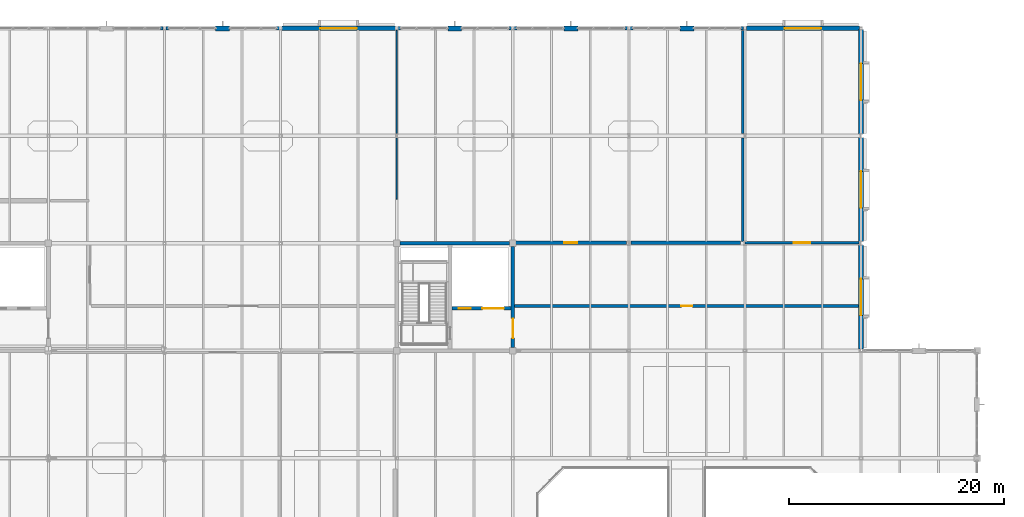
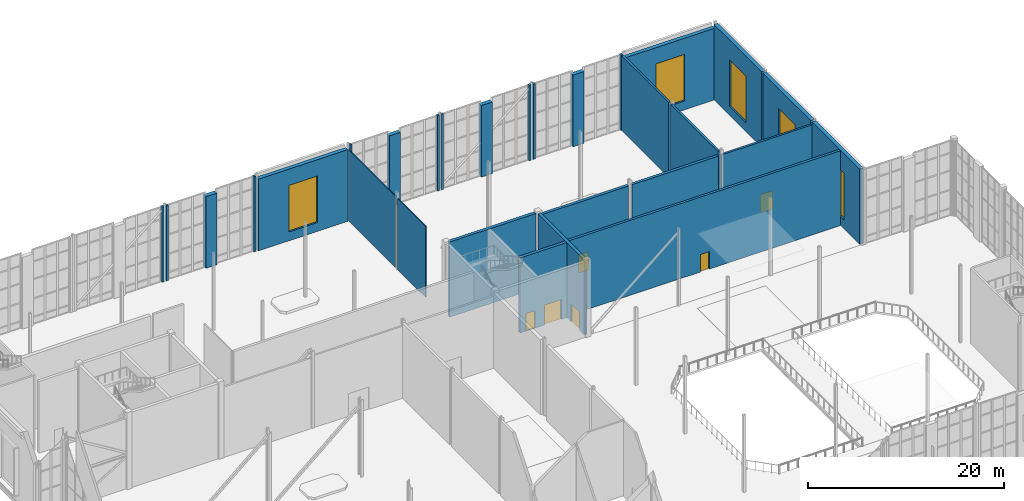
# One storey, part 88 of 100: 29 walls, 6 doors, 5 windows, 11 openings.
"""IFC4 building model written with IfcOpenShell, lengths in metres."""

from ifc_helpers import new_model, si_unit, direction, frame, frame_2d, origin, place, context, subcontext, project, spatial, rectangle, extrude, material, layer, layer_set, type_object, element, fill, save


model = new_model("IFC4")

# Units and contexts
model_context = context("Model", 3, precision=1e-05, world=origin(), true_north=direction((0.0, 1.0)))
body_context = subcontext(model_context, "Body", "Model", "MODEL_VIEW")
ifc_project = project(units=[si_unit("LENGTHUNIT", "METRE"), si_unit("AREAUNIT", "SQUARE_METRE"), si_unit("VOLUMEUNIT", "CUBIC_METRE"), si_unit("PLANEANGLEUNIT", "RADIAN"), si_unit("MASSUNIT", "GRAM", prefix="KILO")], contexts=[model_context])

# Site, building, storey
site_placement = place(None, origin())
site = spatial("IfcSite", under=ifc_project, at=site_placement, CompositionType="ELEMENT")
building_placement = place(site_placement, origin())
building = spatial("IfcBuilding", under=site, at=building_placement, Name="Tasgan Crest Museum", CompositionType="ELEMENT")
storey_placement = place(building_placement, frame((0.0, 0.0, 14.39990234375)))
storey = spatial("IfcBuildingStorey", under=building, at=storey_placement, Name="L03", CompositionType="ELEMENT", Elevation=14.39990234375)

# Wall
ifc_material_1 = material(Name="Concrete C40/50", Category="concrete")
ifc_layer_1 = layer(ifc_material_1, 0.35009765625, Name="WL-CORE-350")
ifc_layer_set_1 = layer_set([ifc_layer_1], Name="Concrete C40/50")
wall_type_1 = type_object("IfcWallType", Name="WL-CORE-350", PredefinedType="SHEAR", material=ifc_layer_set_1)
wall_1_placement = place(storey_placement, frame((54.300048828125, 92.0, 0.0), z_axis=(0.0, 0.0, 1.0), x_axis=(1.0, 0.0, 0.0)))
element("IfcWall", 1, at=wall_1_placement, inside=storey, type_object=wall_type_1, Name="North-Central Sawtooth Core north shear wall L03", PredefinedType="SHEAR", context=body_context, shape_type="SweptSolid", body=[
    extrude(rectangle(XDim=10.199951171875, YDim=0.35009765625, at=frame_2d((5.10009765625, 0.0))), origin(), (0.0, 0.0, 1.0), 9.360107421875),
])

# Wall, opening, door
wall_2_placement = place(storey_placement, frame((64.800048828125, 82.300048828125, 0.0), z_axis=(0.0, 0.0, 1.0), x_axis=(0.0, 1.0, 0.0)))
wall_2 = element("IfcWall", 2, at=wall_2_placement, inside=storey, type_object=wall_type_1, Name="North-Central Sawtooth Core east shear wall L03", PredefinedType="SHEAR", context=body_context, shape_type="SweptSolid", body=[
    extrude(rectangle(XDim=9.39990234375, YDim=0.35009765625, at=frame_2d((4.699951171875, 0.0))), origin(), (0.0, 0.0, 1.0), 9.360107421875),
])
opening_1_placement = place(wall_2_placement, frame((0.8798828125, 0.0, 0.0)))
opening_1 = element("IfcOpeningElement", 3, at=opening_1_placement, cuts=wall_2, Name="Opening LD-NC-L03", PredefinedType="OPENING", context=body_context, shape_type="SweptSolid", body=[
    extrude(rectangle(XDim=1.800048828125, YDim=2.25, at=frame_2d((0.89990234375, 1.125))), frame((0.0, 0.18505859375, 0.0), z_axis=(0.0, -1.0, 0.0), x_axis=(1.0, 0.0, 0.0)), (0.0, 0.0, 1.0), 0.3701171875),
])
ifc_material_2 = material(Name="Fire-Rated Double Lobby Door")
door_type_1 = type_object("IfcDoorType", Name="DR-FD2-1800", OperationType="NOTDEFINED", PredefinedType="DOOR", material=ifc_material_2)
door_1_placement = place(opening_1_placement, origin())
door_1 = element("IfcDoor", 4, at=door_1_placement, inside=storey, type_object=door_type_1, Name="North-Central Sawtooth Core lobby door L03", OperationType="DOUBLE_DOOR_SINGLE_SWING", OverallHeight=2.25, OverallWidth=1.800048828125, PredefinedType="DOOR", context=body_context, shape_type="SweptSolid", body=[
    extrude(rectangle(XDim=1.800048828125, YDim=2.25, at=frame_2d((0.89990234375, 1.125))), frame((0.0, 0.02490234375, 0.0), z_axis=(0.0, -1.0, 0.0), x_axis=(1.0, 0.0, 0.0)), (0.0, 0.0, 1.0), 0.050048828125),
])
fill(opening_1, door_1)

# Wall, openings, doors
wall_3_placement = place(storey_placement, frame((59.1298828125, 85.949951171875, 0.0), z_axis=(0.0, 0.0, 1.0), x_axis=(1.0, 0.0, 0.0)))
wall_3 = element("IfcWall", 5, at=wall_3_placement, inside=storey, type_object=wall_type_1, Name="North-Central Sawtooth Core lift-shaft wall L03", PredefinedType="SHEAR", context=body_context, shape_type="SweptSolid", body=[
    extrude(rectangle(XDim=5.490234375, YDim=0.35009765625, at=frame_2d((2.7451171875, 0.0))), origin(), (0.0, 0.0, 1.0), 9.360107421875),
])
opening_2_placement = place(wall_3_placement, frame((0.64990234375, 0.0, 0.0)))
opening_2 = element("IfcOpeningElement", 6, at=opening_2_placement, cuts=wall_3, Name="Opening LD-FL2", PredefinedType="OPENING", context=body_context, shape_type="SweptSolid", body=[
    extrude(rectangle(XDim=1.10009765625, YDim=2.199951171875, at=frame_2d((0.550048828125, 1.10009765625))), frame((0.0, 0.18505859375, 0.0), z_axis=(0.0, -1.0, 0.0), x_axis=(1.0, 0.0, 0.0)), (0.0, 0.0, 1.0), 0.3701171875),
])
opening_3_placement = place(wall_3_placement, frame((2.85009765625, 0.0, 0.0)))
opening_3 = element("IfcOpeningElement", 7, at=opening_3_placement, cuts=wall_3, Name="Opening LD-GL1", PredefinedType="OPENING", context=body_context, shape_type="SweptSolid", body=[
    extrude(rectangle(XDim=2.0, YDim=2.5, at=frame_2d((1.0, 1.25))), frame((0.0, 0.18505859375, 0.0), z_axis=(0.0, -1.0, 0.0), x_axis=(1.0, 0.0, 0.0)), (0.0, 0.0, 1.0), 0.3701171875),
])
ifc_material_3 = material(Name="Stainless Steel Firefighting Lift Landing Door", Category="steel")
door_type_2 = type_object("IfcDoorType", Name="LD-FF-1100", OperationType="NOTDEFINED", PredefinedType="DOOR", material=ifc_material_3)
door_2_placement = place(opening_2_placement, origin())
door_2 = element("IfcDoor", 8, at=door_2_placement, inside=storey, type_object=door_type_2, Name="Firefighting lift landing door FL2 L03", OperationType="DOUBLE_DOOR_SLIDING", OverallHeight=2.199951171875, OverallWidth=1.10009765625, PredefinedType="DOOR", context=body_context, shape_type="SweptSolid", body=[
    extrude(rectangle(XDim=1.10009765625, YDim=2.199951171875, at=frame_2d((0.550048828125, 1.10009765625))), frame((0.0, 0.02490234375, 0.0), z_axis=(0.0, -1.0, 0.0), x_axis=(1.0, 0.0, 0.0)), (0.0, 0.0, 1.0), 0.050048828125),
])
fill(opening_2, door_2)
ifc_material_4 = material(Name="Heavy-Duty Bi-Parting Goods Lift Landing Door")
door_type_3 = type_object("IfcDoorType", Name="LD-GDS-2000", OperationType="NOTDEFINED", PredefinedType="DOOR", material=ifc_material_4)
door_3_placement = place(opening_3_placement, origin())
door_3 = element("IfcDoor", 9, at=door_3_placement, inside=storey, type_object=door_type_3, Name="Lift landing sliding door GL1 L03", OperationType="DOUBLE_DOOR_SLIDING", OverallHeight=2.5, OverallWidth=2.0, PredefinedType="DOOR", context=body_context, shape_type="SweptSolid", body=[
    extrude(rectangle(XDim=2.0, YDim=2.5, at=frame_2d((1.0, 1.25))), frame((0.0, 0.02490234375, 0.0), z_axis=(0.0, -1.0, 0.0), x_axis=(1.0, 0.0, 0.0)), (0.0, 0.0, 1.0), 0.050048828125),
])
fill(opening_3, door_3)

# Walls
ifc_material_5 = material(Name="Precast concrete C40/50", Category="concrete")
ifc_layer_2 = layer(ifc_material_5, 0.320068359375, Name="WL-EXT-CLER-320")
ifc_layer_set_2 = layer_set([ifc_layer_2], Name="Precast concrete C40/50")
wall_type_2 = type_object("IfcWallType", Name="WL-EXT-CLER-320", PredefinedType="STANDARD", material=ifc_layer_set_2)
for number, where, z_axis, x_axis, name in (
    (10, (86.27392578125, 112.0, 0.0), (0.0, 0.0, 1.0), (-1.0, 0.0, 0.0), "Curtain wall jamb closure L03 JL"),
    (11, (75.969970703125, 112.0, 0.0), (0.0, 0.0, 1.0), (-1.0, 0.0, 0.0), "Curtain wall jamb closure L03 JR"),
):
    element("IfcWall", number, at=place(storey_placement, frame(where, z_axis=z_axis, x_axis=x_axis)), inside=storey, type_object=wall_type_2, Name=name, PredefinedType="STANDARD", context=body_context, shape_type="SweptSolid", body=[
        extrude(rectangle(XDim=0.243896484375, YDim=0.300048828125, at=frame_2d((0.1220703125, 0.0))), origin(), (0.0, 0.0, 1.0), 9.360107421875),
    ])
wall_4_placement = place(storey_placement, frame((75.47412109375, 112.0, 0.0), z_axis=(0.0, 0.0, 1.0), x_axis=(-1.0, 0.0, 0.0)))
element("IfcWall", 12, at=wall_4_placement, inside=storey, type_object=wall_type_2, Name="Curtain wall jamb closure L03 JL", PredefinedType="STANDARD", context=body_context, shape_type="SweptSolid", body=[
    extrude(rectangle(XDim=0.244140625, YDim=0.300048828125, at=frame_2d((0.1220703125, 0.0))), origin(), (0.0, 0.0, 1.0), 9.360107421875),
])
wall_5_placement = place(storey_placement, frame((65.169921875, 112.0, 0.0), z_axis=(0.0, 0.0, 1.0), x_axis=(-1.0, 0.0, 0.0)))
element("IfcWall", 13, at=wall_5_placement, inside=storey, type_object=wall_type_2, Name="Curtain wall jamb closure L03 JR", PredefinedType="STANDARD", context=body_context, shape_type="SweptSolid", body=[
    extrude(rectangle(XDim=0.243896484375, YDim=0.300048828125, at=frame_2d((0.1220703125, 0.0))), origin(), (0.0, 0.0, 1.0), 9.360107421875),
])
for number, where, z_axis, x_axis, name in (
    (14, (64.674072265625, 112.0, 0.0), (0.0, 0.0, 1.0), (-1.0, 0.0, 0.0), "Curtain wall jamb closure L03 JL"),
    (15, (54.3701171875, 112.0, 0.0), (0.0, 0.0, 1.0), (-1.0, 0.0, 0.0), "Curtain wall jamb closure L03 JR"),
):
    element("IfcWall", number, at=place(storey_placement, frame(where, z_axis=z_axis, x_axis=x_axis)), inside=storey, type_object=wall_type_2, Name=name, PredefinedType="STANDARD", context=body_context, shape_type="SweptSolid", body=[
        extrude(rectangle(XDim=0.244140625, YDim=0.300048828125, at=frame_2d((0.1220703125, 0.0))), origin(), (0.0, 0.0, 1.0), 9.360107421875),
    ])
wall_6_placement = place(storey_placement, frame((43.073974609375, 112.0, 0.0), z_axis=(0.0, 0.0, 1.0), x_axis=(-1.0, 0.0, 0.0)))
element("IfcWall", 16, at=wall_6_placement, inside=storey, type_object=wall_type_2, Name="Curtain wall jamb closure L03 JL", PredefinedType="STANDARD", context=body_context, shape_type="SweptSolid", body=[
    extrude(rectangle(XDim=0.243896484375, YDim=0.300048828125, at=frame_2d((0.1220703125, 0.0))), origin(), (0.0, 0.0, 1.0), 9.360107421875),
])
wall_7_placement = place(storey_placement, frame((32.77001953125, 112.0, 0.0), z_axis=(0.0, 0.0, 1.0), x_axis=(-1.0, 0.0, 0.0)))
element("IfcWall", 17, at=wall_7_placement, inside=storey, type_object=wall_type_2, Name="Curtain wall jamb closure L03 JR", PredefinedType="STANDARD", context=body_context, shape_type="SweptSolid", body=[
    extrude(rectangle(XDim=0.244140625, YDim=0.300048828125, at=frame_2d((0.1220703125, 0.0))), origin(), (0.0, 0.0, 1.0), 9.360107421875),
])
wall_8_placement = place(storey_placement, frame((32.27392578125, 112.0, 0.0), z_axis=(0.0, 0.0, 1.0), x_axis=(-1.0, 0.0, 0.0)))
element("IfcWall", 18, at=wall_8_placement, inside=storey, type_object=wall_type_2, Name="Curtain wall jamb closure L03 JL", PredefinedType="STANDARD", context=body_context, shape_type="SweptSolid", body=[
    extrude(rectangle(XDim=0.243896484375, YDim=0.300048828125, at=frame_2d((0.1220703125, 0.0))), origin(), (0.0, 0.0, 1.0), 9.360107421875),
])
ifc_material_6 = material(Name="Precast concrete C40/50", Category="concrete")
ifc_layer_3 = layer(ifc_material_6, 0.47998046875, Name="WL-EXT-GRAN-480")
ifc_layer_set_3 = layer_set([ifc_layer_3], Name="Precast concrete C40/50")
wall_type_3 = type_object("IfcWallType", Name="WL-EXT-GRAN-480", PredefinedType="STANDARD", material=ifc_layer_set_3)
wall_9_placement = place(storey_placement, frame((81.64990234375, 112.0, 0.0), z_axis=(0.0, 0.0, 1.0), x_axis=(-1.0, 0.0, 0.0)))
element("IfcWall", 19, at=wall_9_placement, inside=storey, type_object=wall_type_3, Name="Postmodern facade stone pier L03", PredefinedType="STANDARD", context=body_context, shape_type="SweptSolid", body=[
    extrude(rectangle(XDim=1.2998046875, YDim=0.47998046875, at=frame_2d((0.64990234375, 0.0))), origin(), (0.0, 0.0, 1.0), 8.920166015625),
])
for number, where, z_axis, x_axis, name in (
    (20, (70.85009765625, 112.0, 0.0), (0.0, 0.0, 1.0), (-1.0, 0.0, 0.0), "Postmodern facade stone pier L03"),
    (21, (60.050048828125, 112.0, 0.0), (0.0, 0.0, 1.0), (-1.0, 0.0, 0.0), "Postmodern facade stone pier L03"),
    (22, (38.449951171875, 112.0, 0.0), (0.0, 0.0, 1.0), (-1.0, 0.0, 0.0), "Postmodern facade stone pier L03"),
):
    element("IfcWall", number, at=place(storey_placement, frame(where, z_axis=z_axis, x_axis=x_axis)), inside=storey, type_object=wall_type_3, Name=name, PredefinedType="STANDARD", context=body_context, shape_type="SweptSolid", body=[
        extrude(rectangle(XDim=1.300048828125, YDim=0.47998046875, at=frame_2d((0.64990234375, 0.0))), origin(), (0.0, 0.0, 1.0), 8.920166015625),
    ])

# Wall, opening, window
ifc_material_7 = material(Name="Precast concrete C40/50", Category="concrete")
ifc_layer_4 = layer(ifc_material_7, 0.449951171875, Name="WL-EXT-LIME-450")
ifc_layer_set_4 = layer_set([ifc_layer_4], Name="Precast concrete C40/50")
wall_type_4 = type_object("IfcWallType", Name="WL-EXT-LIME-450", PredefinedType="STANDARD", material=ifc_layer_set_4)
wall_10_placement = place(storey_placement, frame((97.199951171875, 82.14501953125, 0.0), z_axis=(0.0, 0.0, 1.0), x_axis=(0.0, 1.0, 0.0)))
wall_10 = element("IfcWall", 23, at=wall_10_placement, inside=storey, type_object=wall_type_4, Name="Exterior wall L03 (97.2,87.0)", PredefinedType="STANDARD", context=body_context, shape_type="SweptSolid", body=[
    extrude(rectangle(XDim=9.7099609375, YDim=0.449951171875, at=frame_2d((4.85498046875, 0.0))), origin(), (0.0, 0.0, 1.0), 9.360107421875),
])
opening_4_placement = place(wall_10_placement, frame((3.155029296875, 0.0, 1.10009765625)))
opening_4 = element("IfcOpeningElement", 24, at=opening_4_placement, cuts=wall_10, Name="Opening W09", PredefinedType="OPENING", context=body_context, shape_type="SweptSolid", body=[
    extrude(rectangle(XDim=3.39990234375, YDim=5.800048828125, at=frame_2d((1.699951171875, 2.89990234375))), frame((0.0, 0.23486328125, 0.0), z_axis=(0.0, -1.0, 0.0), x_axis=(1.0, 0.0, 0.0)), (0.0, 0.0, 1.0), 0.469970703125),
])
ifc_material_8 = material(Name="Thermally Broken Triple-Glazed Aluminium", Category="aluminium")
window_type = type_object("IfcWindowType", Name="WN-GAL-DH-3400X5800", PartitioningType="SINGLE_PANEL", PredefinedType="WINDOW", material=ifc_material_8)
window_1_placement = place(opening_4_placement, origin())
window_1 = element("IfcWindow", 25, at=window_1_placement, inside=storey, type_object=window_type, Name="Window W09 L03-050", OverallHeight=5.800048828125, OverallWidth=3.39990234375, PartitioningType="SINGLE_PANEL", PredefinedType="WINDOW", context=body_context, shape_type="SweptSolid", body=[
    extrude(rectangle(XDim=3.39990234375, YDim=5.800048828125, at=frame_2d((1.699951171875, 2.89990234375))), frame((0.0, 0.030029296875, 0.0), z_axis=(0.0, -1.0, 0.0), x_axis=(1.0, 0.0, 0.0)), (0.0, 0.0, 1.0), 0.06005859375),
])
fill(opening_4, window_1)

wall_11_placement = place(storey_placement, frame((97.199951171875, 92.14501953125, 0.0), z_axis=(0.0, 0.0, 1.0), x_axis=(0.0, 1.0, 0.0)))
wall_11 = element("IfcWall", 26, at=wall_11_placement, inside=storey, type_object=wall_type_4, Name="Exterior wall L03 (97.2,97.0)", PredefinedType="STANDARD", context=body_context, shape_type="SweptSolid", body=[
    extrude(rectangle(XDim=9.7099609375, YDim=0.449951171875, at=frame_2d((4.85498046875, 0.0))), origin(), (0.0, 0.0, 1.0), 9.360107421875),
])
opening_5_placement = place(wall_11_placement, frame((3.155029296875, 0.0, 1.10009765625)))
opening_5 = element("IfcOpeningElement", 27, at=opening_5_placement, cuts=wall_11, Name="Opening W09", PredefinedType="OPENING", context=body_context, shape_type="SweptSolid", body=[
    extrude(rectangle(XDim=3.39990234375, YDim=5.800048828125, at=frame_2d((1.699951171875, 2.89990234375))), frame((0.0, 0.23486328125, 0.0), z_axis=(0.0, -1.0, 0.0), x_axis=(1.0, 0.0, 0.0)), (0.0, 0.0, 1.0), 0.469970703125),
])
window_2_placement = place(opening_5_placement, origin())
window_2 = element("IfcWindow", 28, at=window_2_placement, inside=storey, type_object=window_type, Name="Window W09 L03-051", OverallHeight=5.800048828125, OverallWidth=3.39990234375, PartitioningType="SINGLE_PANEL", PredefinedType="WINDOW", context=body_context, shape_type="SweptSolid", body=[
    extrude(rectangle(XDim=3.39990234375, YDim=5.800048828125, at=frame_2d((1.699951171875, 2.89990234375))), frame((0.0, 0.030029296875, 0.0), z_axis=(0.0, -1.0, 0.0), x_axis=(1.0, 0.0, 0.0)), (0.0, 0.0, 1.0), 0.06005859375),
])
fill(opening_5, window_2)

wall_12_placement = place(storey_placement, frame((97.199951171875, 102.14501953125, 0.0), z_axis=(0.0, 0.0, 1.0), x_axis=(0.0, 1.0, 0.0)))
wall_12 = element("IfcWall", 29, at=wall_12_placement, inside=storey, type_object=wall_type_4, Name="Exterior wall L03 (97.2,107.0)", PredefinedType="STANDARD", context=body_context, shape_type="SweptSolid", body=[
    extrude(rectangle(XDim=9.72900390625, YDim=0.449951171875, at=frame_2d((4.864501953125, 0.0))), origin(), (0.0, 0.0, 1.0), 9.360107421875),
])
opening_6_placement = place(wall_12_placement, frame((3.16455078125, 0.0, 1.10009765625)))
opening_6 = element("IfcOpeningElement", 30, at=opening_6_placement, cuts=wall_12, Name="Opening W09", PredefinedType="OPENING", context=body_context, shape_type="SweptSolid", body=[
    extrude(rectangle(XDim=3.39990234375, YDim=5.800048828125, at=frame_2d((1.699951171875, 2.89990234375))), frame((0.0, 0.23486328125, 0.0), z_axis=(0.0, -1.0, 0.0), x_axis=(1.0, 0.0, 0.0)), (0.0, 0.0, 1.0), 0.469970703125),
])
window_3_placement = place(opening_6_placement, origin())
window_3 = element("IfcWindow", 31, at=window_3_placement, inside=storey, type_object=window_type, Name="Window W09 L03-052", OverallHeight=5.800048828125, OverallWidth=3.39990234375, PartitioningType="SINGLE_PANEL", PredefinedType="WINDOW", context=body_context, shape_type="SweptSolid", body=[
    extrude(rectangle(XDim=3.39990234375, YDim=5.800048828125, at=frame_2d((1.699951171875, 2.89990234375))), frame((0.0, 0.030029296875, 0.0), z_axis=(0.0, -1.0, 0.0), x_axis=(1.0, 0.0, 0.0)), (0.0, 0.0, 1.0), 0.06005859375),
])
fill(opening_6, window_3)

wall_13_placement = place(storey_placement, frame((97.073974609375, 112.0, 0.0), z_axis=(0.0, 0.0, 1.0), x_axis=(-1.0, 0.0, 0.0)))
wall_13 = element("IfcWall", 32, at=wall_13_placement, inside=storey, type_object=wall_type_4, Name="Exterior wall L03 (91.8,112.0)", PredefinedType="STANDARD", context=body_context, shape_type="SweptSolid", body=[
    extrude(rectangle(XDim=10.548095703125, YDim=0.449951171875, at=frame_2d((5.27392578125, 0.0))), origin(), (0.0, 0.0, 1.0), 8.91015625),
])
opening_7_placement = place(wall_13_placement, frame((3.573974609375, 0.0, 1.10009765625)))
opening_7 = element("IfcOpeningElement", 33, at=opening_7_placement, cuts=wall_13, Name="Opening W09", PredefinedType="OPENING", context=body_context, shape_type="SweptSolid", body=[
    extrude(rectangle(XDim=3.39990234375, YDim=5.800048828125, at=frame_2d((1.699951171875, 2.89990234375))), frame((0.0, 0.23486328125, 0.0), z_axis=(0.0, -1.0, 0.0), x_axis=(1.0, 0.0, 0.0)), (0.0, 0.0, 1.0), 0.469970703125),
])
window_4_placement = place(opening_7_placement, origin())
window_4 = element("IfcWindow", 34, at=window_4_placement, inside=storey, type_object=window_type, Name="Window W09 L03-053", OverallHeight=5.800048828125, OverallWidth=3.39990234375, PartitioningType="SINGLE_PANEL", PredefinedType="WINDOW", context=body_context, shape_type="SweptSolid", body=[
    extrude(rectangle(XDim=3.39990234375, YDim=5.800048828125, at=frame_2d((1.699951171875, 2.89990234375))), frame((0.0, 0.030029296875, 0.0), z_axis=(0.0, -1.0, 0.0), x_axis=(1.0, 0.0, 0.0)), (0.0, 0.0, 1.0), 0.06005859375),
])
fill(opening_7, window_4)

wall_14_placement = place(storey_placement, frame((53.8740234375, 112.0, 0.0), z_axis=(0.0, 0.0, 1.0), x_axis=(-1.0, 0.0, 0.0)))
wall_14 = element("IfcWall", 35, at=wall_14_placement, inside=storey, type_object=wall_type_4, Name="Exterior wall L03 (48.6,112.0)", PredefinedType="STANDARD", context=body_context, shape_type="SweptSolid", body=[
    extrude(rectangle(XDim=10.548095703125, YDim=0.449951171875, at=frame_2d((5.27392578125, 0.0))), origin(), (0.0, 0.0, 1.0), 8.920166015625),
])
opening_8_placement = place(wall_14_placement, frame((3.573974609375, 0.0, 1.10009765625)))
opening_8 = element("IfcOpeningElement", 36, at=opening_8_placement, cuts=wall_14, Name="Opening W09", PredefinedType="OPENING", context=body_context, shape_type="SweptSolid", body=[
    extrude(rectangle(XDim=3.39990234375, YDim=5.800048828125, at=frame_2d((1.699951171875, 2.89990234375))), frame((0.0, 0.23486328125, 0.0), z_axis=(0.0, -1.0, 0.0), x_axis=(1.0, 0.0, 0.0)), (0.0, 0.0, 1.0), 0.469970703125),
])
window_5_placement = place(opening_8_placement, origin())
window_5 = element("IfcWindow", 37, at=window_5_placement, inside=storey, type_object=window_type, Name="Window W09 L03-054", OverallHeight=5.800048828125, OverallWidth=3.39990234375, PartitioningType="SINGLE_PANEL", PredefinedType="WINDOW", context=body_context, shape_type="SweptSolid", body=[
    extrude(rectangle(XDim=3.39990234375, YDim=5.800048828125, at=frame_2d((1.699951171875, 2.89990234375))), frame((0.0, 0.030029296875, 0.0), z_axis=(0.0, -1.0, 0.0), x_axis=(1.0, 0.0, 0.0)), (0.0, 0.0, 1.0), 0.06005859375),
])
fill(opening_8, window_5)

# Wall, opening, door
ifc_material_9 = material(Name="Concrete C40/50", Category="concrete")
ifc_layer_5 = layer(ifc_material_9, 0.239990234375, Name="WL-FIRE-240")
ifc_layer_set_5 = layer_set([ifc_layer_5], Name="Concrete C40/50")
wall_type_5 = type_object("IfcWallType", Name="WL-FIRE-240", PredefinedType="SOLIDWALL", material=ifc_layer_set_5)
wall_15_placement = place(storey_placement, frame((86.39990234375, 92.050048828125, 0.0), z_axis=(0.0, 0.0, 1.0), x_axis=(1.0, 0.0, 0.0)))
wall_15 = element("IfcWall", 38, at=wall_15_placement, inside=storey, type_object=wall_type_5, Name="Partition Tektite and Chondrite Gallery / Conservation Humidification Plant Room L03", PredefinedType="SOLIDWALL", context=body_context, shape_type="SweptSolid", body=[
    extrude(rectangle(XDim=10.6201171875, YDim=0.239990234375, at=frame_2d((5.31005859375, 0.0))), origin(), (0.0, 0.0, 1.0), 8.91015625),
])
opening_9_placement = place(wall_15_placement, frame((4.56005859375, 0.0, 0.0)))
opening_9 = element("IfcOpeningElement", 39, at=opening_9_placement, cuts=wall_15, Name="Opening D080", PredefinedType="OPENING", context=body_context, shape_type="SweptSolid", body=[
    extrude(rectangle(XDim=1.5, YDim=2.300048828125, at=frame_2d((0.75, 1.14990234375))), frame((0.0, 0.1298828125, 0.0), z_axis=(0.0, -1.0, 0.0), x_axis=(1.0, 0.0, 0.0)), (0.0, 0.0, 1.0), 0.260009765625),
])
ifc_material_10 = material(Name="Louvred Steel Plant Room Door", Category="steel")
door_type_4 = type_object("IfcDoorType", Name="DR-PLANT-1500", OperationType="NOTDEFINED", PredefinedType="DOOR", material=ifc_material_10)
door_4_placement = place(opening_9_placement, origin())
door_4 = element("IfcDoor", 40, at=door_4_placement, inside=storey, type_object=door_type_4, Name="Conservation Humidification Plant Room door D080", OperationType="SINGLE_SWING_RIGHT", OverallHeight=2.300048828125, OverallWidth=1.5, PredefinedType="DOOR", context=body_context, shape_type="SweptSolid", body=[
    extrude(rectangle(XDim=1.5, YDim=2.300048828125, at=frame_2d((0.75, 1.14990234375))), frame((0.0, 0.02490234375, 0.0), z_axis=(0.0, -1.0, 0.0), x_axis=(1.0, 0.0, 0.0)), (0.0, 0.0, 1.0), 0.050048828125),
])
fill(opening_9, door_4)

# Walls
for number, where, z_axis, x_axis, name in (
    (41, (86.199951171875, 92.179931640625, 0.0), (0.0, 0.0, 1.0), (0.0, 1.0, 0.0), "Partition Planetary and Meteorite Hall Gallery / Conservation Humidification Plant Room L03"),
    (42, (86.199951171875, 102.199951171875, 0.0), (0.0, 0.0, 1.0), (0.0, 1.0, 0.0), "Partition Planetary and Meteorite Hall Gallery / Conservation Humidification Plant Room L03"),
):
    element("IfcWall", number, at=place(storey_placement, frame(where, z_axis=z_axis, x_axis=x_axis)), inside=storey, type_object=wall_type_5, Name=name, PredefinedType="SOLIDWALL", context=body_context, shape_type="SweptSolid", body=[
        extrude(rectangle(XDim=9.6201171875, YDim=0.239990234375, at=frame_2d((4.81005859375, 0.0))), origin(), (0.0, 0.0, 1.0), 9.320068359375),
    ])
ifc_material_11 = material(Name="Gypsum Acoustic Museum Partition")
ifc_layer_6 = layer(ifc_material_11, 0.110107421875, Name="WL-SCH-01")
ifc_layer_set_6 = layer_set([ifc_layer_6], Name="Gypsum Acoustic Museum Partition")
wall_type_6 = type_object("IfcWallType", Name="WL-SCH-01", PredefinedType="PARTITIONING", material=ifc_layer_set_6)
wall_16_placement = place(storey_placement, frame((54.0, 96.10009765625, 0.0), z_axis=(0.0, 0.0, 1.0), x_axis=(0.0, 1.0, 0.0)))
element("IfcWall", 43, at=wall_16_placement, inside=storey, type_object=wall_type_6, Name="Partition Nemegt Tarbosaurus Monumental Gallery / Planetary and Meteorite Hall Gallery L03", PredefinedType="PARTITIONING", context=body_context, shape_type="SweptSolid", body=[
    extrude(rectangle(XDim=5.699951171875, YDim=0.110107421875, at=frame_2d((2.85009765625, 0.0))), origin(), (0.0, 0.0, 1.0), 8.860107421875),
])
wall_17_placement = place(storey_placement, frame((54.0, 102.199951171875, 0.0), z_axis=(0.0, 0.0, 1.0), x_axis=(0.0, 1.0, 0.0)))
element("IfcWall", 44, at=wall_17_placement, inside=storey, type_object=wall_type_6, Name="Partition Nemegt Tarbosaurus Monumental Gallery / Planetary and Meteorite Hall Gallery L03", PredefinedType="PARTITIONING", context=body_context, shape_type="SweptSolid", body=[
    extrude(rectangle(XDim=9.6201171875, YDim=0.110107421875, at=frame_2d((4.81005859375, 0.0))), origin(), (0.0, 0.0, 1.0), 8.860107421875),
])

# Wall, opening, door
ifc_material_12 = material(Name="Gypsum Acoustic Museum Partition")
ifc_layer_7 = layer(ifc_material_12, 0.2900390625, Name="WL-SCH-09")
ifc_layer_set_7 = layer_set([ifc_layer_7], Name="Gypsum Acoustic Museum Partition")
wall_type_7 = type_object("IfcWallType", Name="WL-SCH-09", PredefinedType="PARTITIONING", material=ifc_layer_set_7)
wall_18_placement = place(storey_placement, frame((64.97998046875, 86.14990234375, 0.0), z_axis=(0.0, 0.0, 1.0), x_axis=(1.0, 0.0, 0.0)))
wall_18 = element("IfcWall", 45, at=wall_18_placement, inside=storey, type_object=wall_type_7, Name="Partition Third Floor East Gallery Promenade / Tektite and Chondrite Gallery L03", PredefinedType="PARTITIONING", context=body_context, shape_type="SweptSolid", body=[
    extrude(rectangle(XDim=32.0400390625, YDim=0.2900390625, at=frame_2d((16.02001953125, 0.0))), origin(), (0.0, 0.0, 1.0), 9.320068359375),
])
opening_10_placement = place(wall_18_placement, frame((15.510009765625, 0.0, 0.0)))
opening_10 = element("IfcOpeningElement", 46, at=opening_10_placement, cuts=wall_18, Name="Opening D077", PredefinedType="OPENING", context=body_context, shape_type="SweptSolid", body=[
    extrude(rectangle(XDim=1.02001953125, YDim=2.179931640625, at=frame_2d((0.510009765625, 1.08984375))), frame((0.0, 0.155029296875, 0.0), z_axis=(0.0, -1.0, 0.0), x_axis=(1.0, 0.0, 0.0)), (0.0, 0.0, 1.0), 0.31005859375),
])
ifc_material_13 = material(Name="Oak and Brushed Bronze Acoustic Door")
door_type_5 = type_object("IfcDoorType", Name="DR-SCH-21", OperationType="NOTDEFINED", PredefinedType="DOOR", material=ifc_material_13)
door_5_placement = place(opening_10_placement, origin())
door_5 = element("IfcDoor", 47, at=door_5_placement, inside=storey, type_object=door_type_5, Name="Tektite and Chondrite Gallery door D077", OperationType="SINGLE_SWING_LEFT", OverallHeight=2.179931640625, OverallWidth=1.02001953125, PredefinedType="DOOR", context=body_context, shape_type="SweptSolid", body=[
    extrude(rectangle(XDim=1.02001953125, YDim=2.179931640625, at=frame_2d((0.510009765625, 1.08984375))), frame((0.0, 0.02490234375, 0.0), z_axis=(0.0, -1.0, 0.0), x_axis=(1.0, 0.0, 0.0)), (0.0, 0.0, 1.0), 0.050048828125),
])
fill(opening_10, door_5)

ifc_material_14 = material(Name="Gypsum Acoustic Museum Partition")
ifc_layer_8 = layer(ifc_material_14, 0.330078125, Name="WL-SCH-11")
ifc_layer_set_8 = layer_set([ifc_layer_8], Name="Gypsum Acoustic Museum Partition")
wall_type_8 = type_object("IfcWallType", Name="WL-SCH-11", PredefinedType="PARTITIONING", material=ifc_layer_set_8)
wall_19_placement = place(storey_placement, frame((64.97998046875, 92.050048828125, 0.0), z_axis=(0.0, 0.0, 1.0), x_axis=(1.0, 0.0, 0.0)))
wall_19 = element("IfcWall", 48, at=wall_19_placement, inside=storey, type_object=wall_type_8, Name="Partition Tektite and Chondrite Gallery / Planetary and Meteorite Hall Gallery L03", PredefinedType="PARTITIONING", context=body_context, shape_type="SweptSolid", body=[
    extrude(rectangle(XDim=10.419921875, YDim=0.330078125, at=frame_2d((5.2099609375, 0.0))), origin(), (0.0, 0.0, 1.0), 8.920166015625),
])
opening_11_placement = place(wall_19_placement, frame((4.6201171875, 0.0, 0.0)))
opening_11 = element("IfcOpeningElement", 49, at=opening_11_placement, cuts=wall_19, Name="Opening D079", PredefinedType="OPENING", context=body_context, shape_type="SweptSolid", body=[
    extrude(rectangle(XDim=1.179931640625, YDim=2.280029296875, at=frame_2d((0.58984375, 1.14013671875))), frame((0.0, 0.175048828125, 0.0), z_axis=(0.0, -1.0, 0.0), x_axis=(1.0, 0.0, 0.0)), (0.0, 0.0, 1.0), 0.35009765625),
])
ifc_material_15 = material(Name="Oak and Brushed Bronze Acoustic Door")
door_type_6 = type_object("IfcDoorType", Name="DR-SCH-23", OperationType="NOTDEFINED", PredefinedType="DOOR", material=ifc_material_15)
door_6_placement = place(opening_11_placement, origin())
door_6 = element("IfcDoor", 50, at=door_6_placement, inside=storey, type_object=door_type_6, Name="Planetary and Meteorite Hall Gallery door D079", OperationType="SINGLE_SWING_LEFT", OverallHeight=2.280029296875, OverallWidth=1.179931640625, PredefinedType="DOOR", context=body_context, shape_type="SweptSolid", body=[
    extrude(rectangle(XDim=1.179931640625, YDim=2.280029296875, at=frame_2d((0.58984375, 1.14013671875))), frame((0.0, 0.02490234375, 0.0), z_axis=(0.0, -1.0, 0.0), x_axis=(1.0, 0.0, 0.0)), (0.0, 0.0, 1.0), 0.050048828125),
])
fill(opening_11, door_6)

# Wall
wall_20_placement = place(storey_placement, frame((75.800048828125, 92.050048828125, 0.0), z_axis=(0.0, 0.0, 1.0), x_axis=(1.0, 0.0, 0.0)))
element("IfcWall", 51, at=wall_20_placement, inside=storey, type_object=wall_type_8, Name="Partition Tektite and Chondrite Gallery / Planetary and Meteorite Hall Gallery L03", PredefinedType="PARTITIONING", context=body_context, shape_type="SweptSolid", body=[
    extrude(rectangle(XDim=10.199951171875, YDim=0.330078125, at=frame_2d((5.10009765625, 0.0))), origin(), (0.0, 0.0, 1.0), 8.920166015625),
])

save(model, "model.ifc")
